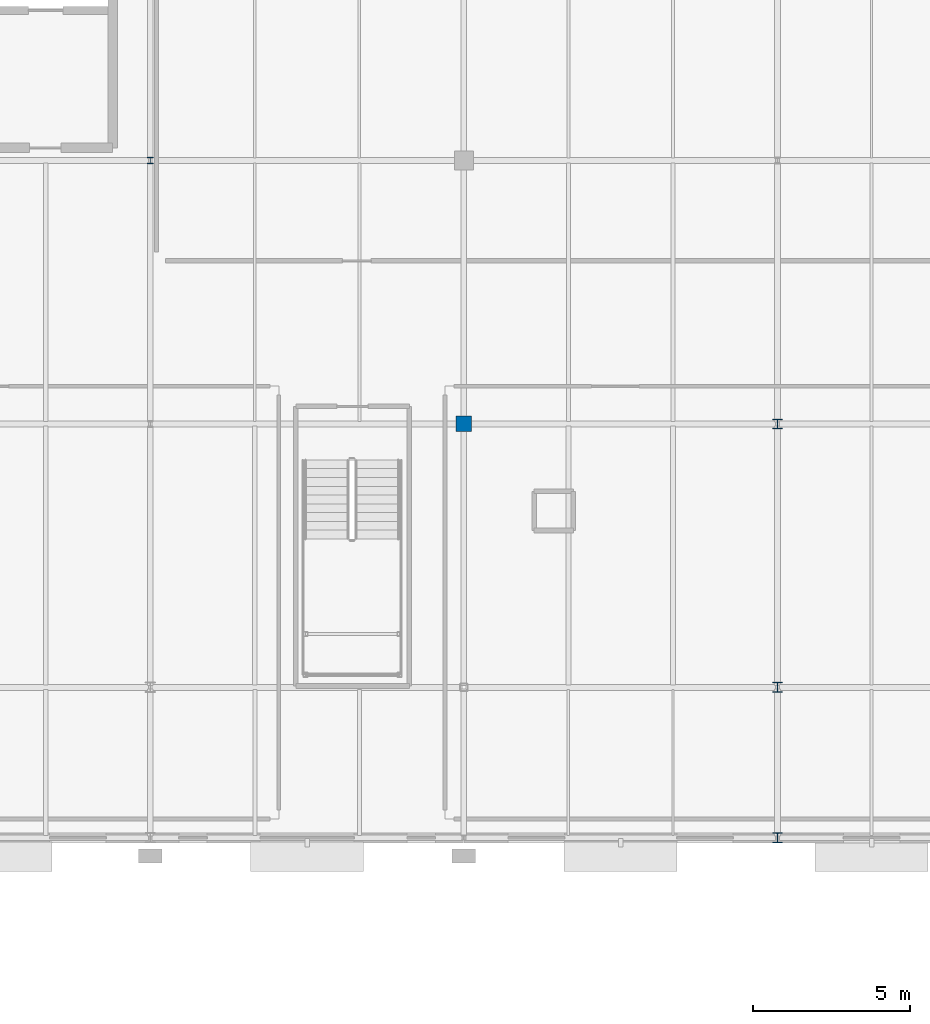
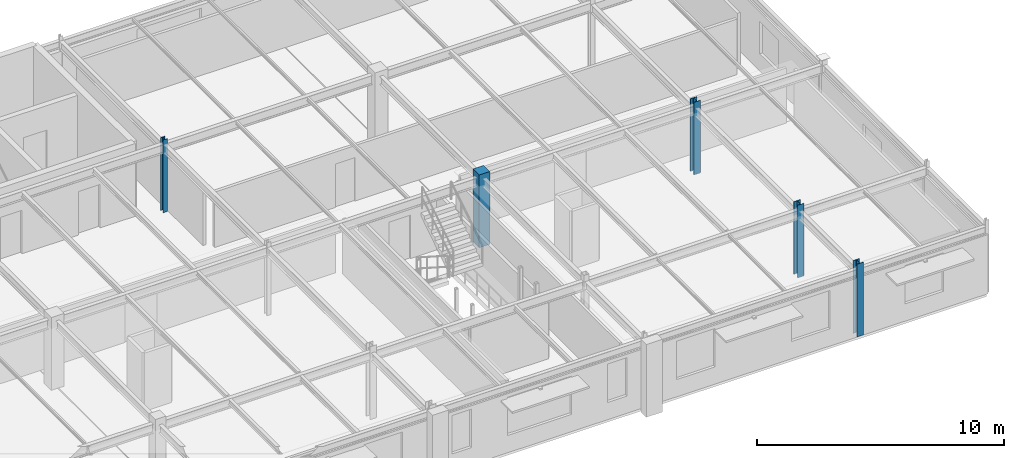
# One storey, part 23 of 109: 5 columns.
"""IFC4 building model written with IfcOpenShell, lengths in metres."""

from ifc_helpers import new_model, si_unit, derived_unit, direction, frame, origin, origin_2d_with_axis, place, context, subcontext, project, spatial, rectangle, i_section, extrude, material, material_profile, profile_set, type_object, element, save


model = new_model("IFC4")

# Units and contexts
model_context = context("Model", 3, precision=1e-05, world=origin(), true_north=direction((0.0, 1.0)))
body_context = subcontext(model_context, "Body", "Model", "MODEL_VIEW")
ifc_project = project(units=[si_unit("LENGTHUNIT", "METRE"), si_unit("AREAUNIT", "SQUARE_METRE"), si_unit("VOLUMEUNIT", "CUBIC_METRE"), si_unit("PLANEANGLEUNIT", "RADIAN"), si_unit("MASSUNIT", "GRAM", prefix="KILO"), derived_unit("THERMALTRANSMITTANCEUNIT", [(si_unit("POWERUNIT", "WATT"), 1), (si_unit("LENGTHUNIT", "METRE"), -2), (si_unit("THERMODYNAMICTEMPERATUREUNIT", "KELVIN"), -1)])], contexts=[model_context])

# Site, building, storey
site_placement = place(None, origin())
site = spatial("IfcSite", under=ifc_project, at=site_placement, CompositionType="ELEMENT")
building_placement = place(site_placement, origin())
building = spatial("IfcBuilding", under=site, at=building_placement, Name="Cinnabar Yard Market Hall", CompositionType="ELEMENT")
storey_placement = place(building_placement, frame((0.0, 0.0, 8.39990234375)))
storey = spatial("IfcBuildingStorey", under=building, at=storey_placement, Name="L02", CompositionType="ELEMENT", Elevation=8.39990234375)

# Columns
ifc_material_1 = material(Name="Steel Grade 350 (350 MPa)", Category="steel")
ifc_material_profile_1 = material_profile(ifc_material_1, i_section(OverallWidth=0.30908203125, OverallDepth=0.320556640625, WebThickness=0.013916015625, FlangeThickness=0.021728515625, FilletRadius=0.0166015625, at=origin_2d_with_axis()), Name="310UC137")
ifc_profile_set_1 = profile_set([ifc_material_profile_1], Name="Steel Grade 350 (350 MPa)")
column_type_1 = type_object("IfcColumnType", Name="COL-C07E", PredefinedType="COLUMN", material=ifc_profile_set_1)
column_1_placement = place(storey_placement, frame((156.0, 108.0, 0.0), z_axis=(0.0, 0.0, 1.0), x_axis=(1.0, 0.0, 0.0)))
element("IfcColumn", 1, at=column_1_placement, inside=storey, type_object=column_type_1, Name="Wing Column V3-10-01 L02", PredefinedType="COLUMN", context=body_context, shape_type="SweptSolid", body=[
    extrude(i_section(OverallWidth=0.30908203125, OverallDepth=0.320556640625, WebThickness=0.013916015625, FlangeThickness=0.021728515625, FilletRadius=0.0166015625, at=origin_2d_with_axis()), origin(), (0.0, 0.0, 1.0), 3.60009765625),
])
ifc_material_2 = material(Name="Steel Grade 300 (300 MPa)", Category="steel")
ifc_material_profile_2 = material_profile(ifc_material_2, i_section(OverallWidth=0.307373046875, OverallDepth=0.314697265625, WebThickness=0.011962890625, FlangeThickness=0.018798828125, FilletRadius=0.0166015625, at=origin_2d_with_axis()), Name="310UC118")
ifc_profile_set_2 = profile_set([ifc_material_profile_2], Name="Steel Grade 300 (300 MPa)")
column_type_2 = type_object("IfcColumnType", Name="COL-C08", PredefinedType="COLUMN", material=ifc_profile_set_2)
column_2_placement = place(storey_placement, frame((156.0, 112.800048828125, 0.0), z_axis=(0.0, 0.0, 1.0), x_axis=(1.0, 0.0, 0.0)))
element("IfcColumn", 2, at=column_2_placement, inside=storey, type_object=column_type_2, Name="Wing Column V3-10-02 L02", PredefinedType="COLUMN", context=body_context, shape_type="SweptSolid", body=[
    extrude(i_section(OverallWidth=0.307373046875, OverallDepth=0.314697265625, WebThickness=0.011962890625, FlangeThickness=0.018798828125, FilletRadius=0.0166015625, at=origin_2d_with_axis()), origin(), (0.0, 0.0, 1.0), 3.60009765625),
])
ifc_material_profile_3 = material_profile(ifc_material_2, i_section(OverallWidth=0.304931640625, OverallDepth=0.30810546875, WebThickness=0.010009765625, FlangeThickness=0.015380859375, FilletRadius=0.0166015625, at=origin_2d_with_axis()), Name="310UC96.8")
ifc_profile_set_3 = profile_set([ifc_material_profile_3], Name="Steel Grade 300 (300 MPa)")
column_type_3 = type_object("IfcColumnType", Name="COL-C09", PredefinedType="COLUMN", material=ifc_profile_set_3)
column_3_placement = place(storey_placement, frame((156.0, 121.199951171875, 0.0), z_axis=(0.0, 0.0, 1.0), x_axis=(1.0, 0.0, 0.0)))
element("IfcColumn", 3, at=column_3_placement, inside=storey, type_object=column_type_3, Name="Wing Column V3-10-03 L02", PredefinedType="COLUMN", context=body_context, shape_type="SweptSolid", body=[
    extrude(i_section(OverallWidth=0.304931640625, OverallDepth=0.30810546875, WebThickness=0.010009765625, FlangeThickness=0.015380859375, FilletRadius=0.0166015625, at=origin_2d_with_axis()), origin(), (0.0, 0.0, 1.0), 3.60009765625),
])
ifc_material_profile_4 = material_profile(ifc_material_2, i_section(OverallWidth=0.205078125, OverallDepth=0.209716796875, WebThickness=0.00927734375, FlangeThickness=0.01416015625, FilletRadius=0.011474609375, at=origin_2d_with_axis()), Name="200UC59.5")
ifc_profile_set_4 = profile_set([ifc_material_profile_4], Name="Steel Grade 300 (300 MPa)")
column_type_4 = type_object("IfcColumnType", Name="COL-C17", PredefinedType="COLUMN", material=ifc_profile_set_4)
column_4_placement = place(storey_placement, frame((136.0, 129.60009765625, 0.0), z_axis=(0.0, 0.0, 1.0), x_axis=(1.0, 0.0, 0.0)))
element("IfcColumn", 4, at=column_4_placement, inside=storey, type_object=column_type_4, Name="Wing Column V3-08-04 L02", PredefinedType="COLUMN", context=body_context, shape_type="SweptSolid", body=[
    extrude(i_section(OverallWidth=0.205078125, OverallDepth=0.209716796875, WebThickness=0.00927734375, FlangeThickness=0.01416015625, FilletRadius=0.011474609375, at=origin_2d_with_axis()), origin(), (0.0, 0.0, 1.0), 3.60009765625),
])
ifc_material_3 = material(Name="Concrete 40 MPa", Category="concrete")
ifc_material_profile_5 = material_profile(ifc_material_3, rectangle(XDim=0.5, YDim=0.5, at=origin_2d_with_axis()), Name="RC-500x500")
ifc_profile_set_5 = profile_set([ifc_material_profile_5], Name="Concrete 40 MPa")
column_type_5 = type_object("IfcColumnType", Name="COL-RC1", PredefinedType="COLUMN", material=ifc_profile_set_5)
column_5_placement = place(storey_placement, frame((146.0, 121.199951171875, 0.0), z_axis=(0.0, 0.0, 1.0), x_axis=(1.0, 0.0, 0.0)))
element("IfcColumn", 5, at=column_5_placement, inside=storey, type_object=column_type_5, Name="Wing Column V3-09-03 L02", PredefinedType="COLUMN", context=body_context, shape_type="SweptSolid", body=[
    extrude(rectangle(XDim=0.5, YDim=0.5, at=origin_2d_with_axis()), origin(), (0.0, 0.0, 1.0), 3.60009765625),
])

save(model, "model.ifc")
